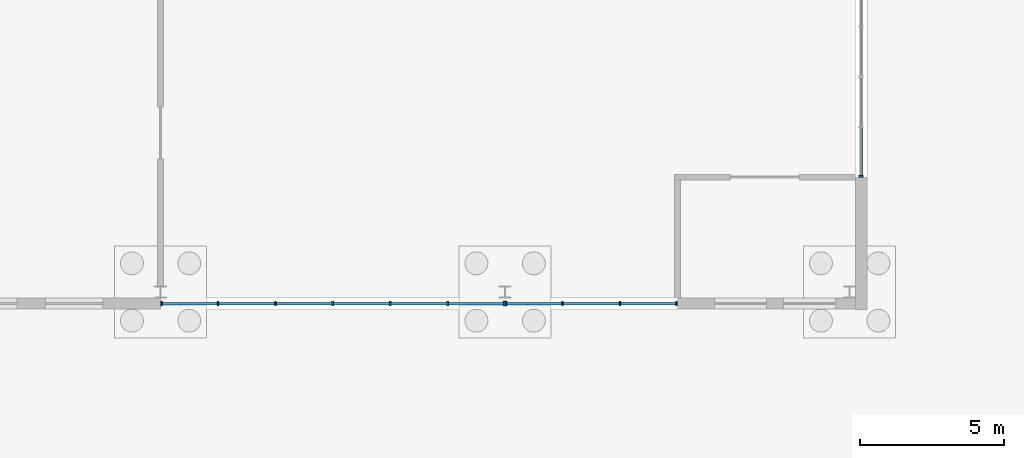
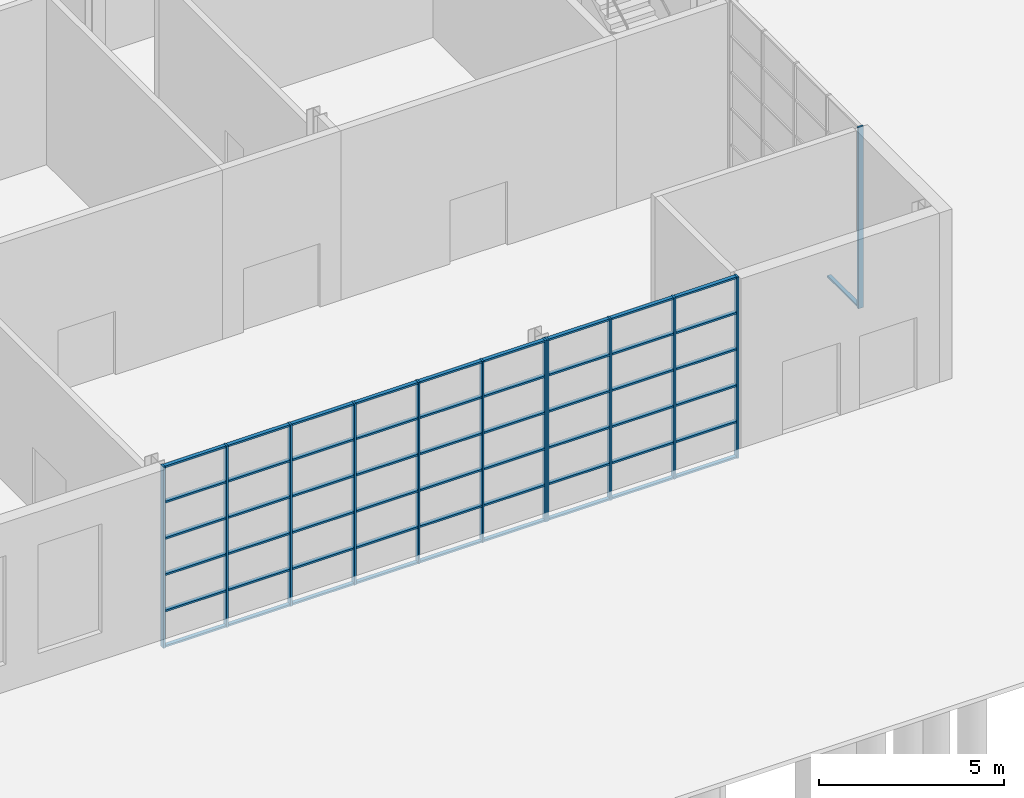
# One storey, part 9 of 29: 67 members, 3 elements without a shape of their own.
"""IFC4 building model written with IfcOpenShell, lengths in metres."""

from ifc_helpers import new_model, si_unit, direction, frame, origin, origin_2d, place, context, subcontext, project, spatial, rectangle, extrude, material, layer, layer_set, material_profile, profile_set, type_object, element, aggregate, save


model = new_model("IFC4")

# Units and contexts
model_context = context("Model", 3, precision=1e-05, world=origin(), true_north=direction((0.0, 1.0)))
body_context = subcontext(model_context, "Body", "Model", "MODEL_VIEW")
ifc_project = project(units=[si_unit("LENGTHUNIT", "METRE"), si_unit("AREAUNIT", "SQUARE_METRE"), si_unit("VOLUMEUNIT", "CUBIC_METRE"), si_unit("PLANEANGLEUNIT", "RADIAN"), si_unit("MASSUNIT", "GRAM", prefix="KILO")], contexts=[model_context])

# Site, building, storey
site_placement = place(None, origin())
site = spatial("IfcSite", under=ifc_project, at=site_placement, CompositionType="ELEMENT")
building_placement = place(site_placement, origin())
building = spatial("IfcBuilding", under=site, at=building_placement, Name="Kitamizu Gate Tower and Museum", CompositionType="ELEMENT")
storey_placement = place(building_placement, origin())
storey = spatial("IfcBuildingStorey", under=building, at=storey_placement, Name="L00", CompositionType="ELEMENT", Elevation=0.0)

# Curtain wall, members
ifc_material_1 = material(Name="Bronze anodised aluminium frame, tinted triple glazing", Category="aluminium")
ifc_layer = layer(ifc_material_1, 0.39990234375)
ifc_layer_set = layer_set([ifc_layer], Name="Bronze anodised aluminium frame, tinted triple glazing")
curtain_wall_type = type_object("IfcCurtainWallType", Name="Museum atrium curtain wall D", PredefinedType="NOTDEFINED", material=ifc_layer_set)
curtain_wall_1_placement = place(storey_placement, origin())
curtain_wall_1 = element("IfcCurtainWall", 1, at=curtain_wall_1_placement, inside=storey, type_object=curtain_wall_type, Name="Atrium curtain wall Sm14mm2", PredefinedType="NOTDEFINED")
ifc_material_2 = material(Name="Bronze anodised aluminium", Category="aluminium")
ifc_material_profile_1 = material_profile(ifc_material_2, rectangle(XDim=0.06005859375, YDim=0.159912109375, at=origin_2d()), Name="60x160")
ifc_profile_set_1 = profile_set([ifc_material_profile_1], Name="Bronze anodised aluminium")
member_type_1 = type_object("IfcMemberType", Name="Museum curtain wall mullion 60x160", PredefinedType="MULLION", material=ifc_profile_set_1)
member_1_placement = place(storey_placement, frame((-13.969970703125, -26.39990234375, -0.39990234375), z_axis=(0.0, 0.0, 1.0), x_axis=(1.0, 0.0, 0.0)))
member_1 = element("IfcMember", 2, at=member_1_placement, type_object=member_type_1, Name="CW-D mullion 1", PredefinedType="MULLION", context=body_context, shape_type="SweptSolid", body=[
    extrude(rectangle(XDim=0.06005859375, YDim=0.159912109375, at=origin_2d()), origin(), (0.0, 0.0, 1.0), 6.0),
])
member_2_placement = place(storey_placement, frame((-12.0, -26.39990234375, -0.39990234375), z_axis=(0.0, 0.0, 1.0), x_axis=(1.0, 0.0, 0.0)))
member_2 = element("IfcMember", 3, at=member_2_placement, type_object=member_type_1, Name="CW-D mullion 2", PredefinedType="MULLION", context=body_context, shape_type="SweptSolid", body=[
    extrude(rectangle(XDim=0.06005859375, YDim=0.159912109375, at=origin_2d()), origin(), (0.0, 0.0, 1.0), 6.0),
])
member_3_placement = place(storey_placement, frame((-10.0, -26.39990234375, -0.39990234375), z_axis=(0.0, 0.0, 1.0), x_axis=(1.0, 0.0, 0.0)))
member_3 = element("IfcMember", 4, at=member_3_placement, type_object=member_type_1, Name="CW-D mullion 3", PredefinedType="MULLION", context=body_context, shape_type="SweptSolid", body=[
    extrude(rectangle(XDim=0.06005859375, YDim=0.159912109375, at=origin_2d()), origin(), (0.0, 0.0, 1.0), 6.0),
])
member_4_placement = place(storey_placement, frame((-8.0, -26.39990234375, -0.39990234375), z_axis=(0.0, 0.0, 1.0), x_axis=(1.0, 0.0, 0.0)))
member_4 = element("IfcMember", 5, at=member_4_placement, type_object=member_type_1, Name="CW-D mullion 4", PredefinedType="MULLION", context=body_context, shape_type="SweptSolid", body=[
    extrude(rectangle(XDim=0.06005859375, YDim=0.159912109375, at=origin_2d()), origin(), (0.0, 0.0, 1.0), 6.0),
])
member_5_placement = place(storey_placement, frame((-6.0, -26.39990234375, -0.39990234375), z_axis=(0.0, 0.0, 1.0), x_axis=(1.0, 0.0, 0.0)))
member_5 = element("IfcMember", 6, at=member_5_placement, type_object=member_type_1, Name="CW-D mullion 5", PredefinedType="MULLION", context=body_context, shape_type="SweptSolid", body=[
    extrude(rectangle(XDim=0.06005859375, YDim=0.159912109375, at=origin_2d()), origin(), (0.0, 0.0, 1.0), 6.0),
])
member_6_placement = place(storey_placement, frame((-4.0, -26.39990234375, -0.39990234375), z_axis=(0.0, 0.0, 1.0), x_axis=(1.0, 0.0, 0.0)))
member_6 = element("IfcMember", 7, at=member_6_placement, type_object=member_type_1, Name="CW-D mullion 6", PredefinedType="MULLION", context=body_context, shape_type="SweptSolid", body=[
    extrude(rectangle(XDim=0.06005859375, YDim=0.159912109375, at=origin_2d()), origin(), (0.0, 0.0, 1.0), 6.0),
])
member_7_placement = place(storey_placement, frame((-2.030029296875, -26.39990234375, -0.39990234375), z_axis=(0.0, 0.0, 1.0), x_axis=(1.0, 0.0, 0.0)))
member_7 = element("IfcMember", 8, at=member_7_placement, type_object=member_type_1, Name="CW-D mullion 7", PredefinedType="MULLION", context=body_context, shape_type="SweptSolid", body=[
    extrude(rectangle(XDim=0.06005859375, YDim=0.159912109375, at=origin_2d()), origin(), (0.0, 0.0, 1.0), 6.0),
])

curtain_wall_2_placement = place(storey_placement, origin())
curtain_wall_2 = element("IfcCurtainWall", 9, at=curtain_wall_2_placement, inside=storey, type_object=curtain_wall_type, Name="Atrium curtain wall Sm2m4", PredefinedType="NOTDEFINED")
member_8_placement = place(storey_placement, frame((-1.969970703125, -26.39990234375, -0.39990234375), z_axis=(0.0, 0.0, 1.0), x_axis=(1.0, 0.0, 0.0)))
member_8 = element("IfcMember", 10, at=member_8_placement, type_object=member_type_1, Name="CW-D mullion 1", PredefinedType="MULLION", context=body_context, shape_type="SweptSolid", body=[
    extrude(rectangle(XDim=0.06005859375, YDim=0.159912109375, at=origin_2d()), origin(), (0.0, 0.0, 1.0), 6.0),
])
member_9_placement = place(storey_placement, frame((0.0, -26.39990234375, -0.39990234375), z_axis=(0.0, 0.0, 1.0), x_axis=(1.0, 0.0, 0.0)))
member_9 = element("IfcMember", 11, at=member_9_placement, type_object=member_type_1, Name="CW-D mullion 2", PredefinedType="MULLION", context=body_context, shape_type="SweptSolid", body=[
    extrude(rectangle(XDim=0.06005859375, YDim=0.159912109375, at=origin_2d()), origin(), (0.0, 0.0, 1.0), 6.0),
])
member_10_placement = place(storey_placement, frame((2.0, -26.39990234375, -0.39990234375), z_axis=(0.0, 0.0, 1.0), x_axis=(1.0, 0.0, 0.0)))
member_10 = element("IfcMember", 12, at=member_10_placement, type_object=member_type_1, Name="CW-D mullion 3", PredefinedType="MULLION", context=body_context, shape_type="SweptSolid", body=[
    extrude(rectangle(XDim=0.06005859375, YDim=0.159912109375, at=origin_2d()), origin(), (0.0, 0.0, 1.0), 6.0),
])
member_11_placement = place(storey_placement, frame((3.969970703125, -26.39990234375, -0.39990234375), z_axis=(0.0, 0.0, 1.0), x_axis=(1.0, 0.0, 0.0)))
member_11 = element("IfcMember", 13, at=member_11_placement, type_object=member_type_1, Name="CW-D mullion 4", PredefinedType="MULLION", context=body_context, shape_type="SweptSolid", body=[
    extrude(rectangle(XDim=0.06005859375, YDim=0.159912109375, at=origin_2d()), origin(), (0.0, 0.0, 1.0), 6.0),
])

# Curtain wall, member
curtain_wall_3_placement = place(storey_placement, origin())
curtain_wall_3 = element("IfcCurtainWall", 14, at=curtain_wall_3_placement, inside=storey, type_object=curtain_wall_type, Name="Atrium curtain wall Em22mm15", PredefinedType="NOTDEFINED")
member_12_placement = place(storey_placement, frame((10.39990234375, -21.969970703125, -0.39990234375), z_axis=(0.0, 0.0, 1.0), x_axis=(0.0, 1.0, 0.0)))
member_12 = element("IfcMember", 15, at=member_12_placement, type_object=member_type_1, Name="CW-D mullion 1", PredefinedType="MULLION", context=body_context, shape_type="SweptSolid", body=[
    extrude(rectangle(XDim=0.06005859375, YDim=0.159912109375, at=origin_2d()), origin(), (0.0, 0.0, 1.0), 6.0),
])

# Member
ifc_material_3 = material(Name="Bronze anodised aluminium", Category="aluminium")
ifc_material_profile_2 = material_profile(ifc_material_3, rectangle(XDim=0.1201171875, YDim=0.06005859375, at=origin_2d()), Name="120x60")
ifc_profile_set_2 = profile_set([ifc_material_profile_2], Name="Bronze anodised aluminium")
member_type_2 = type_object("IfcMemberType", Name="Museum curtain wall transom 60x120", PredefinedType="USERDEFINED", material=ifc_profile_set_2)
member_13_placement = place(storey_placement, frame((-13.93994140625, -26.39990234375, -0.3701171875), z_axis=(1.0, 0.0, 0.0), x_axis=(0.0, 1.0, 0.0)))
member_13 = element("IfcMember", 16, at=member_13_placement, type_object=member_type_2, Name="CW-D transom 1.1", ObjectType="TRANSOM", PredefinedType="USERDEFINED", context=body_context, shape_type="SweptSolid", body=[
    extrude(rectangle(XDim=0.1201171875, YDim=0.06005859375, at=origin_2d()), origin(), (0.0, 0.0, 1.0), 1.909912109375),
])

member_14_placement = place(storey_placement, frame((-13.93994140625, -26.39990234375, 0.800048828125), z_axis=(1.0, 0.0, 0.0), x_axis=(0.0, 1.0, 0.0)))
member_14 = element("IfcMember", 17, at=member_14_placement, type_object=member_type_2, Name="CW-D transom 1.2", ObjectType="TRANSOM", PredefinedType="USERDEFINED", context=body_context, shape_type="SweptSolid", body=[
    extrude(rectangle(XDim=0.1201171875, YDim=0.06005859375, at=origin_2d()), origin(), (0.0, 0.0, 1.0), 1.909912109375),
])

member_15_placement = place(storey_placement, frame((-13.93994140625, -26.39990234375, 2.0), z_axis=(1.0, 0.0, 0.0), x_axis=(0.0, 1.0, 0.0)))
member_15 = element("IfcMember", 18, at=member_15_placement, type_object=member_type_2, Name="CW-D transom 1.3", ObjectType="TRANSOM", PredefinedType="USERDEFINED", context=body_context, shape_type="SweptSolid", body=[
    extrude(rectangle(XDim=0.1201171875, YDim=0.06005859375, at=origin_2d()), origin(), (0.0, 0.0, 1.0), 1.909912109375),
])

member_16_placement = place(storey_placement, frame((-13.93994140625, -26.39990234375, 3.199951171875), z_axis=(1.0, 0.0, 0.0), x_axis=(0.0, 1.0, 0.0)))
member_16 = element("IfcMember", 19, at=member_16_placement, type_object=member_type_2, Name="CW-D transom 1.4", ObjectType="TRANSOM", PredefinedType="USERDEFINED", context=body_context, shape_type="SweptSolid", body=[
    extrude(rectangle(XDim=0.1201171875, YDim=0.06005859375, at=origin_2d()), origin(), (0.0, 0.0, 1.0), 1.909912109375),
])

member_17_placement = place(storey_placement, frame((-13.93994140625, -26.39990234375, 4.39990234375), z_axis=(1.0, 0.0, 0.0), x_axis=(0.0, 1.0, 0.0)))
member_17 = element("IfcMember", 20, at=member_17_placement, type_object=member_type_2, Name="CW-D transom 1.5", ObjectType="TRANSOM", PredefinedType="USERDEFINED", context=body_context, shape_type="SweptSolid", body=[
    extrude(rectangle(XDim=0.1201171875, YDim=0.06005859375, at=origin_2d()), origin(), (0.0, 0.0, 1.0), 1.909912109375),
])

member_18_placement = place(storey_placement, frame((-13.93994140625, -26.39990234375, 5.570068359375), z_axis=(1.0, 0.0, 0.0), x_axis=(0.0, 1.0, 0.0)))
member_18 = element("IfcMember", 21, at=member_18_placement, type_object=member_type_2, Name="CW-D transom 1.6", ObjectType="TRANSOM", PredefinedType="USERDEFINED", context=body_context, shape_type="SweptSolid", body=[
    extrude(rectangle(XDim=0.1201171875, YDim=0.06005859375, at=origin_2d()), origin(), (0.0, 0.0, 1.0), 1.909912109375),
])

member_19_placement = place(storey_placement, frame((-11.969970703125, -26.39990234375, -0.3701171875), z_axis=(1.0, 0.0, 0.0), x_axis=(0.0, 1.0, 0.0)))
member_19 = element("IfcMember", 22, at=member_19_placement, type_object=member_type_2, Name="CW-D transom 2.1", ObjectType="TRANSOM", PredefinedType="USERDEFINED", context=body_context, shape_type="SweptSolid", body=[
    extrude(rectangle(XDim=0.1201171875, YDim=0.06005859375, at=origin_2d()), origin(), (0.0, 0.0, 1.0), 1.93994140625),
])

member_20_placement = place(storey_placement, frame((-11.969970703125, -26.39990234375, 0.800048828125), z_axis=(1.0, 0.0, 0.0), x_axis=(0.0, 1.0, 0.0)))
member_20 = element("IfcMember", 23, at=member_20_placement, type_object=member_type_2, Name="CW-D transom 2.2", ObjectType="TRANSOM", PredefinedType="USERDEFINED", context=body_context, shape_type="SweptSolid", body=[
    extrude(rectangle(XDim=0.1201171875, YDim=0.06005859375, at=origin_2d()), origin(), (0.0, 0.0, 1.0), 1.93994140625),
])

member_21_placement = place(storey_placement, frame((-11.969970703125, -26.39990234375, 2.0), z_axis=(1.0, 0.0, 0.0), x_axis=(0.0, 1.0, 0.0)))
member_21 = element("IfcMember", 24, at=member_21_placement, type_object=member_type_2, Name="CW-D transom 2.3", ObjectType="TRANSOM", PredefinedType="USERDEFINED", context=body_context, shape_type="SweptSolid", body=[
    extrude(rectangle(XDim=0.1201171875, YDim=0.06005859375, at=origin_2d()), origin(), (0.0, 0.0, 1.0), 1.93994140625),
])

member_22_placement = place(storey_placement, frame((-11.969970703125, -26.39990234375, 3.199951171875), z_axis=(1.0, 0.0, 0.0), x_axis=(0.0, 1.0, 0.0)))
member_22 = element("IfcMember", 25, at=member_22_placement, type_object=member_type_2, Name="CW-D transom 2.4", ObjectType="TRANSOM", PredefinedType="USERDEFINED", context=body_context, shape_type="SweptSolid", body=[
    extrude(rectangle(XDim=0.1201171875, YDim=0.06005859375, at=origin_2d()), origin(), (0.0, 0.0, 1.0), 1.93994140625),
])

member_23_placement = place(storey_placement, frame((-11.969970703125, -26.39990234375, 4.39990234375), z_axis=(1.0, 0.0, 0.0), x_axis=(0.0, 1.0, 0.0)))
member_23 = element("IfcMember", 26, at=member_23_placement, type_object=member_type_2, Name="CW-D transom 2.5", ObjectType="TRANSOM", PredefinedType="USERDEFINED", context=body_context, shape_type="SweptSolid", body=[
    extrude(rectangle(XDim=0.1201171875, YDim=0.06005859375, at=origin_2d()), origin(), (0.0, 0.0, 1.0), 1.93994140625),
])

member_24_placement = place(storey_placement, frame((-11.969970703125, -26.39990234375, 5.570068359375), z_axis=(1.0, 0.0, 0.0), x_axis=(0.0, 1.0, 0.0)))
member_24 = element("IfcMember", 27, at=member_24_placement, type_object=member_type_2, Name="CW-D transom 2.6", ObjectType="TRANSOM", PredefinedType="USERDEFINED", context=body_context, shape_type="SweptSolid", body=[
    extrude(rectangle(XDim=0.1201171875, YDim=0.06005859375, at=origin_2d()), origin(), (0.0, 0.0, 1.0), 1.93994140625),
])

member_25_placement = place(storey_placement, frame((-9.969970703125, -26.39990234375, -0.3701171875), z_axis=(1.0, 0.0, 0.0), x_axis=(0.0, 1.0, 0.0)))
member_25 = element("IfcMember", 28, at=member_25_placement, type_object=member_type_2, Name="CW-D transom 3.1", ObjectType="TRANSOM", PredefinedType="USERDEFINED", context=body_context, shape_type="SweptSolid", body=[
    extrude(rectangle(XDim=0.1201171875, YDim=0.06005859375, at=origin_2d()), origin(), (0.0, 0.0, 1.0), 1.93994140625),
])

member_26_placement = place(storey_placement, frame((-9.969970703125, -26.39990234375, 0.800048828125), z_axis=(1.0, 0.0, 0.0), x_axis=(0.0, 1.0, 0.0)))
member_26 = element("IfcMember", 29, at=member_26_placement, type_object=member_type_2, Name="CW-D transom 3.2", ObjectType="TRANSOM", PredefinedType="USERDEFINED", context=body_context, shape_type="SweptSolid", body=[
    extrude(rectangle(XDim=0.1201171875, YDim=0.06005859375, at=origin_2d()), origin(), (0.0, 0.0, 1.0), 1.93994140625),
])

member_27_placement = place(storey_placement, frame((-9.969970703125, -26.39990234375, 2.0), z_axis=(1.0, 0.0, 0.0), x_axis=(0.0, 1.0, 0.0)))
member_27 = element("IfcMember", 30, at=member_27_placement, type_object=member_type_2, Name="CW-D transom 3.3", ObjectType="TRANSOM", PredefinedType="USERDEFINED", context=body_context, shape_type="SweptSolid", body=[
    extrude(rectangle(XDim=0.1201171875, YDim=0.06005859375, at=origin_2d()), origin(), (0.0, 0.0, 1.0), 1.93994140625),
])

member_28_placement = place(storey_placement, frame((-9.969970703125, -26.39990234375, 3.199951171875), z_axis=(1.0, 0.0, 0.0), x_axis=(0.0, 1.0, 0.0)))
member_28 = element("IfcMember", 31, at=member_28_placement, type_object=member_type_2, Name="CW-D transom 3.4", ObjectType="TRANSOM", PredefinedType="USERDEFINED", context=body_context, shape_type="SweptSolid", body=[
    extrude(rectangle(XDim=0.1201171875, YDim=0.06005859375, at=origin_2d()), origin(), (0.0, 0.0, 1.0), 1.93994140625),
])

member_29_placement = place(storey_placement, frame((-9.969970703125, -26.39990234375, 4.39990234375), z_axis=(1.0, 0.0, 0.0), x_axis=(0.0, 1.0, 0.0)))
member_29 = element("IfcMember", 32, at=member_29_placement, type_object=member_type_2, Name="CW-D transom 3.5", ObjectType="TRANSOM", PredefinedType="USERDEFINED", context=body_context, shape_type="SweptSolid", body=[
    extrude(rectangle(XDim=0.1201171875, YDim=0.06005859375, at=origin_2d()), origin(), (0.0, 0.0, 1.0), 1.93994140625),
])

member_30_placement = place(storey_placement, frame((-9.969970703125, -26.39990234375, 5.570068359375), z_axis=(1.0, 0.0, 0.0), x_axis=(0.0, 1.0, 0.0)))
member_30 = element("IfcMember", 33, at=member_30_placement, type_object=member_type_2, Name="CW-D transom 3.6", ObjectType="TRANSOM", PredefinedType="USERDEFINED", context=body_context, shape_type="SweptSolid", body=[
    extrude(rectangle(XDim=0.1201171875, YDim=0.06005859375, at=origin_2d()), origin(), (0.0, 0.0, 1.0), 1.93994140625),
])

member_31_placement = place(storey_placement, frame((-7.969970703125, -26.39990234375, -0.3701171875), z_axis=(1.0, 0.0, 0.0), x_axis=(0.0, 1.0, 0.0)))
member_31 = element("IfcMember", 34, at=member_31_placement, type_object=member_type_2, Name="CW-D transom 4.1", ObjectType="TRANSOM", PredefinedType="USERDEFINED", context=body_context, shape_type="SweptSolid", body=[
    extrude(rectangle(XDim=0.1201171875, YDim=0.06005859375, at=origin_2d()), origin(), (0.0, 0.0, 1.0), 1.93994140625),
])

member_32_placement = place(storey_placement, frame((-7.969970703125, -26.39990234375, 0.800048828125), z_axis=(1.0, 0.0, 0.0), x_axis=(0.0, 1.0, 0.0)))
member_32 = element("IfcMember", 35, at=member_32_placement, type_object=member_type_2, Name="CW-D transom 4.2", ObjectType="TRANSOM", PredefinedType="USERDEFINED", context=body_context, shape_type="SweptSolid", body=[
    extrude(rectangle(XDim=0.1201171875, YDim=0.06005859375, at=origin_2d()), origin(), (0.0, 0.0, 1.0), 1.93994140625),
])

member_33_placement = place(storey_placement, frame((-7.969970703125, -26.39990234375, 2.0), z_axis=(1.0, 0.0, 0.0), x_axis=(0.0, 1.0, 0.0)))
member_33 = element("IfcMember", 36, at=member_33_placement, type_object=member_type_2, Name="CW-D transom 4.3", ObjectType="TRANSOM", PredefinedType="USERDEFINED", context=body_context, shape_type="SweptSolid", body=[
    extrude(rectangle(XDim=0.1201171875, YDim=0.06005859375, at=origin_2d()), origin(), (0.0, 0.0, 1.0), 1.93994140625),
])

member_34_placement = place(storey_placement, frame((-7.969970703125, -26.39990234375, 3.199951171875), z_axis=(1.0, 0.0, 0.0), x_axis=(0.0, 1.0, 0.0)))
member_34 = element("IfcMember", 37, at=member_34_placement, type_object=member_type_2, Name="CW-D transom 4.4", ObjectType="TRANSOM", PredefinedType="USERDEFINED", context=body_context, shape_type="SweptSolid", body=[
    extrude(rectangle(XDim=0.1201171875, YDim=0.06005859375, at=origin_2d()), origin(), (0.0, 0.0, 1.0), 1.93994140625),
])

member_35_placement = place(storey_placement, frame((-7.969970703125, -26.39990234375, 4.39990234375), z_axis=(1.0, 0.0, 0.0), x_axis=(0.0, 1.0, 0.0)))
member_35 = element("IfcMember", 38, at=member_35_placement, type_object=member_type_2, Name="CW-D transom 4.5", ObjectType="TRANSOM", PredefinedType="USERDEFINED", context=body_context, shape_type="SweptSolid", body=[
    extrude(rectangle(XDim=0.1201171875, YDim=0.06005859375, at=origin_2d()), origin(), (0.0, 0.0, 1.0), 1.93994140625),
])

member_36_placement = place(storey_placement, frame((-7.969970703125, -26.39990234375, 5.570068359375), z_axis=(1.0, 0.0, 0.0), x_axis=(0.0, 1.0, 0.0)))
member_36 = element("IfcMember", 39, at=member_36_placement, type_object=member_type_2, Name="CW-D transom 4.6", ObjectType="TRANSOM", PredefinedType="USERDEFINED", context=body_context, shape_type="SweptSolid", body=[
    extrude(rectangle(XDim=0.1201171875, YDim=0.06005859375, at=origin_2d()), origin(), (0.0, 0.0, 1.0), 1.93994140625),
])

member_37_placement = place(storey_placement, frame((-5.969970703125, -26.39990234375, -0.3701171875), z_axis=(1.0, 0.0, 0.0), x_axis=(0.0, 1.0, 0.0)))
member_37 = element("IfcMember", 40, at=member_37_placement, type_object=member_type_2, Name="CW-D transom 5.1", ObjectType="TRANSOM", PredefinedType="USERDEFINED", context=body_context, shape_type="SweptSolid", body=[
    extrude(rectangle(XDim=0.1201171875, YDim=0.06005859375, at=origin_2d()), origin(), (0.0, 0.0, 1.0), 1.93994140625),
])

member_38_placement = place(storey_placement, frame((-5.969970703125, -26.39990234375, 0.800048828125), z_axis=(1.0, 0.0, 0.0), x_axis=(0.0, 1.0, 0.0)))
member_38 = element("IfcMember", 41, at=member_38_placement, type_object=member_type_2, Name="CW-D transom 5.2", ObjectType="TRANSOM", PredefinedType="USERDEFINED", context=body_context, shape_type="SweptSolid", body=[
    extrude(rectangle(XDim=0.1201171875, YDim=0.06005859375, at=origin_2d()), origin(), (0.0, 0.0, 1.0), 1.93994140625),
])

member_39_placement = place(storey_placement, frame((-5.969970703125, -26.39990234375, 2.0), z_axis=(1.0, 0.0, 0.0), x_axis=(0.0, 1.0, 0.0)))
member_39 = element("IfcMember", 42, at=member_39_placement, type_object=member_type_2, Name="CW-D transom 5.3", ObjectType="TRANSOM", PredefinedType="USERDEFINED", context=body_context, shape_type="SweptSolid", body=[
    extrude(rectangle(XDim=0.1201171875, YDim=0.06005859375, at=origin_2d()), origin(), (0.0, 0.0, 1.0), 1.93994140625),
])

member_40_placement = place(storey_placement, frame((-5.969970703125, -26.39990234375, 3.199951171875), z_axis=(1.0, 0.0, 0.0), x_axis=(0.0, 1.0, 0.0)))
member_40 = element("IfcMember", 43, at=member_40_placement, type_object=member_type_2, Name="CW-D transom 5.4", ObjectType="TRANSOM", PredefinedType="USERDEFINED", context=body_context, shape_type="SweptSolid", body=[
    extrude(rectangle(XDim=0.1201171875, YDim=0.06005859375, at=origin_2d()), origin(), (0.0, 0.0, 1.0), 1.93994140625),
])

member_41_placement = place(storey_placement, frame((-5.969970703125, -26.39990234375, 4.39990234375), z_axis=(1.0, 0.0, 0.0), x_axis=(0.0, 1.0, 0.0)))
member_41 = element("IfcMember", 44, at=member_41_placement, type_object=member_type_2, Name="CW-D transom 5.5", ObjectType="TRANSOM", PredefinedType="USERDEFINED", context=body_context, shape_type="SweptSolid", body=[
    extrude(rectangle(XDim=0.1201171875, YDim=0.06005859375, at=origin_2d()), origin(), (0.0, 0.0, 1.0), 1.93994140625),
])

member_42_placement = place(storey_placement, frame((-5.969970703125, -26.39990234375, 5.570068359375), z_axis=(1.0, 0.0, 0.0), x_axis=(0.0, 1.0, 0.0)))
member_42 = element("IfcMember", 45, at=member_42_placement, type_object=member_type_2, Name="CW-D transom 5.6", ObjectType="TRANSOM", PredefinedType="USERDEFINED", context=body_context, shape_type="SweptSolid", body=[
    extrude(rectangle(XDim=0.1201171875, YDim=0.06005859375, at=origin_2d()), origin(), (0.0, 0.0, 1.0), 1.93994140625),
])

member_43_placement = place(storey_placement, frame((-3.969970703125, -26.39990234375, -0.3701171875), z_axis=(1.0, 0.0, 0.0), x_axis=(0.0, 1.0, 0.0)))
member_43 = element("IfcMember", 46, at=member_43_placement, type_object=member_type_2, Name="CW-D transom 6.1", ObjectType="TRANSOM", PredefinedType="USERDEFINED", context=body_context, shape_type="SweptSolid", body=[
    extrude(rectangle(XDim=0.1201171875, YDim=0.06005859375, at=origin_2d()), origin(), (0.0, 0.0, 1.0), 1.909912109375),
])

member_44_placement = place(storey_placement, frame((-3.969970703125, -26.39990234375, 0.800048828125), z_axis=(1.0, 0.0, 0.0), x_axis=(0.0, 1.0, 0.0)))
member_44 = element("IfcMember", 47, at=member_44_placement, type_object=member_type_2, Name="CW-D transom 6.2", ObjectType="TRANSOM", PredefinedType="USERDEFINED", context=body_context, shape_type="SweptSolid", body=[
    extrude(rectangle(XDim=0.1201171875, YDim=0.06005859375, at=origin_2d()), origin(), (0.0, 0.0, 1.0), 1.909912109375),
])

member_45_placement = place(storey_placement, frame((-3.969970703125, -26.39990234375, 2.0), z_axis=(1.0, 0.0, 0.0), x_axis=(0.0, 1.0, 0.0)))
member_45 = element("IfcMember", 48, at=member_45_placement, type_object=member_type_2, Name="CW-D transom 6.3", ObjectType="TRANSOM", PredefinedType="USERDEFINED", context=body_context, shape_type="SweptSolid", body=[
    extrude(rectangle(XDim=0.1201171875, YDim=0.06005859375, at=origin_2d()), origin(), (0.0, 0.0, 1.0), 1.909912109375),
])

member_46_placement = place(storey_placement, frame((-3.969970703125, -26.39990234375, 3.199951171875), z_axis=(1.0, 0.0, 0.0), x_axis=(0.0, 1.0, 0.0)))
member_46 = element("IfcMember", 49, at=member_46_placement, type_object=member_type_2, Name="CW-D transom 6.4", ObjectType="TRANSOM", PredefinedType="USERDEFINED", context=body_context, shape_type="SweptSolid", body=[
    extrude(rectangle(XDim=0.1201171875, YDim=0.06005859375, at=origin_2d()), origin(), (0.0, 0.0, 1.0), 1.909912109375),
])

member_47_placement = place(storey_placement, frame((-3.969970703125, -26.39990234375, 4.39990234375), z_axis=(1.0, 0.0, 0.0), x_axis=(0.0, 1.0, 0.0)))
member_47 = element("IfcMember", 50, at=member_47_placement, type_object=member_type_2, Name="CW-D transom 6.5", ObjectType="TRANSOM", PredefinedType="USERDEFINED", context=body_context, shape_type="SweptSolid", body=[
    extrude(rectangle(XDim=0.1201171875, YDim=0.06005859375, at=origin_2d()), origin(), (0.0, 0.0, 1.0), 1.909912109375),
])

member_48_placement = place(storey_placement, frame((-3.969970703125, -26.39990234375, 5.570068359375), z_axis=(1.0, 0.0, 0.0), x_axis=(0.0, 1.0, 0.0)))
member_48 = element("IfcMember", 51, at=member_48_placement, type_object=member_type_2, Name="CW-D transom 6.6", ObjectType="TRANSOM", PredefinedType="USERDEFINED", context=body_context, shape_type="SweptSolid", body=[
    extrude(rectangle(XDim=0.1201171875, YDim=0.06005859375, at=origin_2d()), origin(), (0.0, 0.0, 1.0), 1.909912109375),
])

aggregate(curtain_wall_1, [member_1, member_2, member_3, member_4, member_5, member_6, member_7, member_13, member_14, member_15, member_16, member_17, member_18, member_19, member_20, member_21, member_22, member_23, member_24, member_25, member_26, member_27, member_28, member_29, member_30, member_31, member_32, member_33, member_34, member_35, member_36, member_37, member_38, member_39, member_40, member_41, member_42, member_43, member_44, member_45, member_46, member_47, member_48])

member_49_placement = place(storey_placement, frame((-1.93994140625, -26.39990234375, -0.3701171875), z_axis=(1.0, 0.0, 0.0), x_axis=(0.0, 1.0, 0.0)))
member_49 = element("IfcMember", 52, at=member_49_placement, type_object=member_type_2, Name="CW-D transom 1.1", ObjectType="TRANSOM", PredefinedType="USERDEFINED", context=body_context, shape_type="SweptSolid", body=[
    extrude(rectangle(XDim=0.1201171875, YDim=0.06005859375, at=origin_2d()), origin(), (0.0, 0.0, 1.0), 1.909912109375),
])

member_50_placement = place(storey_placement, frame((-1.93994140625, -26.39990234375, 0.800048828125), z_axis=(1.0, 0.0, 0.0), x_axis=(0.0, 1.0, 0.0)))
member_50 = element("IfcMember", 53, at=member_50_placement, type_object=member_type_2, Name="CW-D transom 1.2", ObjectType="TRANSOM", PredefinedType="USERDEFINED", context=body_context, shape_type="SweptSolid", body=[
    extrude(rectangle(XDim=0.1201171875, YDim=0.06005859375, at=origin_2d()), origin(), (0.0, 0.0, 1.0), 1.909912109375),
])

member_51_placement = place(storey_placement, frame((-1.93994140625, -26.39990234375, 2.0), z_axis=(1.0, 0.0, 0.0), x_axis=(0.0, 1.0, 0.0)))
member_51 = element("IfcMember", 54, at=member_51_placement, type_object=member_type_2, Name="CW-D transom 1.3", ObjectType="TRANSOM", PredefinedType="USERDEFINED", context=body_context, shape_type="SweptSolid", body=[
    extrude(rectangle(XDim=0.1201171875, YDim=0.06005859375, at=origin_2d()), origin(), (0.0, 0.0, 1.0), 1.909912109375),
])

member_52_placement = place(storey_placement, frame((-1.93994140625, -26.39990234375, 3.199951171875), z_axis=(1.0, 0.0, 0.0), x_axis=(0.0, 1.0, 0.0)))
member_52 = element("IfcMember", 55, at=member_52_placement, type_object=member_type_2, Name="CW-D transom 1.4", ObjectType="TRANSOM", PredefinedType="USERDEFINED", context=body_context, shape_type="SweptSolid", body=[
    extrude(rectangle(XDim=0.1201171875, YDim=0.06005859375, at=origin_2d()), origin(), (0.0, 0.0, 1.0), 1.909912109375),
])

member_53_placement = place(storey_placement, frame((-1.93994140625, -26.39990234375, 4.39990234375), z_axis=(1.0, 0.0, 0.0), x_axis=(0.0, 1.0, 0.0)))
member_53 = element("IfcMember", 56, at=member_53_placement, type_object=member_type_2, Name="CW-D transom 1.5", ObjectType="TRANSOM", PredefinedType="USERDEFINED", context=body_context, shape_type="SweptSolid", body=[
    extrude(rectangle(XDim=0.1201171875, YDim=0.06005859375, at=origin_2d()), origin(), (0.0, 0.0, 1.0), 1.909912109375),
])

member_54_placement = place(storey_placement, frame((-1.93994140625, -26.39990234375, 5.570068359375), z_axis=(1.0, 0.0, 0.0), x_axis=(0.0, 1.0, 0.0)))
member_54 = element("IfcMember", 57, at=member_54_placement, type_object=member_type_2, Name="CW-D transom 1.6", ObjectType="TRANSOM", PredefinedType="USERDEFINED", context=body_context, shape_type="SweptSolid", body=[
    extrude(rectangle(XDim=0.1201171875, YDim=0.06005859375, at=origin_2d()), origin(), (0.0, 0.0, 1.0), 1.909912109375),
])

member_55_placement = place(storey_placement, frame((0.030029296875, -26.39990234375, -0.3701171875), z_axis=(1.0, 0.0, 0.0), x_axis=(0.0, 1.0, 0.0)))
member_55 = element("IfcMember", 58, at=member_55_placement, type_object=member_type_2, Name="CW-D transom 2.1", ObjectType="TRANSOM", PredefinedType="USERDEFINED", context=body_context, shape_type="SweptSolid", body=[
    extrude(rectangle(XDim=0.1201171875, YDim=0.06005859375, at=origin_2d()), origin(), (0.0, 0.0, 1.0), 1.93994140625),
])

member_56_placement = place(storey_placement, frame((0.030029296875, -26.39990234375, 0.800048828125), z_axis=(1.0, 0.0, 0.0), x_axis=(0.0, 1.0, 0.0)))
member_56 = element("IfcMember", 59, at=member_56_placement, type_object=member_type_2, Name="CW-D transom 2.2", ObjectType="TRANSOM", PredefinedType="USERDEFINED", context=body_context, shape_type="SweptSolid", body=[
    extrude(rectangle(XDim=0.1201171875, YDim=0.06005859375, at=origin_2d()), origin(), (0.0, 0.0, 1.0), 1.93994140625),
])

member_57_placement = place(storey_placement, frame((0.030029296875, -26.39990234375, 2.0), z_axis=(1.0, 0.0, 0.0), x_axis=(0.0, 1.0, 0.0)))
member_57 = element("IfcMember", 60, at=member_57_placement, type_object=member_type_2, Name="CW-D transom 2.3", ObjectType="TRANSOM", PredefinedType="USERDEFINED", context=body_context, shape_type="SweptSolid", body=[
    extrude(rectangle(XDim=0.1201171875, YDim=0.06005859375, at=origin_2d()), origin(), (0.0, 0.0, 1.0), 1.93994140625),
])

member_58_placement = place(storey_placement, frame((0.030029296875, -26.39990234375, 3.199951171875), z_axis=(1.0, 0.0, 0.0), x_axis=(0.0, 1.0, 0.0)))
member_58 = element("IfcMember", 61, at=member_58_placement, type_object=member_type_2, Name="CW-D transom 2.4", ObjectType="TRANSOM", PredefinedType="USERDEFINED", context=body_context, shape_type="SweptSolid", body=[
    extrude(rectangle(XDim=0.1201171875, YDim=0.06005859375, at=origin_2d()), origin(), (0.0, 0.0, 1.0), 1.93994140625),
])

member_59_placement = place(storey_placement, frame((0.030029296875, -26.39990234375, 4.39990234375), z_axis=(1.0, 0.0, 0.0), x_axis=(0.0, 1.0, 0.0)))
member_59 = element("IfcMember", 62, at=member_59_placement, type_object=member_type_2, Name="CW-D transom 2.5", ObjectType="TRANSOM", PredefinedType="USERDEFINED", context=body_context, shape_type="SweptSolid", body=[
    extrude(rectangle(XDim=0.1201171875, YDim=0.06005859375, at=origin_2d()), origin(), (0.0, 0.0, 1.0), 1.93994140625),
])

member_60_placement = place(storey_placement, frame((0.030029296875, -26.39990234375, 5.570068359375), z_axis=(1.0, 0.0, 0.0), x_axis=(0.0, 1.0, 0.0)))
member_60 = element("IfcMember", 63, at=member_60_placement, type_object=member_type_2, Name="CW-D transom 2.6", ObjectType="TRANSOM", PredefinedType="USERDEFINED", context=body_context, shape_type="SweptSolid", body=[
    extrude(rectangle(XDim=0.1201171875, YDim=0.06005859375, at=origin_2d()), origin(), (0.0, 0.0, 1.0), 1.93994140625),
])

member_61_placement = place(storey_placement, frame((2.030029296875, -26.39990234375, -0.3701171875), z_axis=(1.0, 0.0, 0.0), x_axis=(0.0, 1.0, 0.0)))
member_61 = element("IfcMember", 64, at=member_61_placement, type_object=member_type_2, Name="CW-D transom 3.1", ObjectType="TRANSOM", PredefinedType="USERDEFINED", context=body_context, shape_type="SweptSolid", body=[
    extrude(rectangle(XDim=0.1201171875, YDim=0.06005859375, at=origin_2d()), origin(), (0.0, 0.0, 1.0), 1.909912109375),
])

member_62_placement = place(storey_placement, frame((2.030029296875, -26.39990234375, 0.800048828125), z_axis=(1.0, 0.0, 0.0), x_axis=(0.0, 1.0, 0.0)))
member_62 = element("IfcMember", 65, at=member_62_placement, type_object=member_type_2, Name="CW-D transom 3.2", ObjectType="TRANSOM", PredefinedType="USERDEFINED", context=body_context, shape_type="SweptSolid", body=[
    extrude(rectangle(XDim=0.1201171875, YDim=0.06005859375, at=origin_2d()), origin(), (0.0, 0.0, 1.0), 1.909912109375),
])

member_63_placement = place(storey_placement, frame((2.030029296875, -26.39990234375, 2.0), z_axis=(1.0, 0.0, 0.0), x_axis=(0.0, 1.0, 0.0)))
member_63 = element("IfcMember", 66, at=member_63_placement, type_object=member_type_2, Name="CW-D transom 3.3", ObjectType="TRANSOM", PredefinedType="USERDEFINED", context=body_context, shape_type="SweptSolid", body=[
    extrude(rectangle(XDim=0.1201171875, YDim=0.06005859375, at=origin_2d()), origin(), (0.0, 0.0, 1.0), 1.909912109375),
])

member_64_placement = place(storey_placement, frame((2.030029296875, -26.39990234375, 3.199951171875), z_axis=(1.0, 0.0, 0.0), x_axis=(0.0, 1.0, 0.0)))
member_64 = element("IfcMember", 67, at=member_64_placement, type_object=member_type_2, Name="CW-D transom 3.4", ObjectType="TRANSOM", PredefinedType="USERDEFINED", context=body_context, shape_type="SweptSolid", body=[
    extrude(rectangle(XDim=0.1201171875, YDim=0.06005859375, at=origin_2d()), origin(), (0.0, 0.0, 1.0), 1.909912109375),
])

member_65_placement = place(storey_placement, frame((2.030029296875, -26.39990234375, 4.39990234375), z_axis=(1.0, 0.0, 0.0), x_axis=(0.0, 1.0, 0.0)))
member_65 = element("IfcMember", 68, at=member_65_placement, type_object=member_type_2, Name="CW-D transom 3.5", ObjectType="TRANSOM", PredefinedType="USERDEFINED", context=body_context, shape_type="SweptSolid", body=[
    extrude(rectangle(XDim=0.1201171875, YDim=0.06005859375, at=origin_2d()), origin(), (0.0, 0.0, 1.0), 1.909912109375),
])

member_66_placement = place(storey_placement, frame((2.030029296875, -26.39990234375, 5.570068359375), z_axis=(1.0, 0.0, 0.0), x_axis=(0.0, 1.0, 0.0)))
member_66 = element("IfcMember", 69, at=member_66_placement, type_object=member_type_2, Name="CW-D transom 3.6", ObjectType="TRANSOM", PredefinedType="USERDEFINED", context=body_context, shape_type="SweptSolid", body=[
    extrude(rectangle(XDim=0.1201171875, YDim=0.06005859375, at=origin_2d()), origin(), (0.0, 0.0, 1.0), 1.909912109375),
])

aggregate(curtain_wall_2, [member_8, member_9, member_10, member_11, member_49, member_50, member_51, member_52, member_53, member_54, member_55, member_56, member_57, member_58, member_59, member_60, member_61, member_62, member_63, member_64, member_65, member_66])

member_67_placement = place(storey_placement, frame((10.39990234375, -21.93994140625, -0.3701171875), z_axis=(0.0, 1.0, 0.0), x_axis=(-1.0, 0.0, 0.0)))
member_67 = element("IfcMember", 70, at=member_67_placement, type_object=member_type_2, Name="CW-D transom 1.1", ObjectType="TRANSOM", PredefinedType="USERDEFINED", context=body_context, shape_type="SweptSolid", body=[
    extrude(rectangle(XDim=0.1201171875, YDim=0.06005859375, at=origin_2d()), origin(), (0.0, 0.0, 1.0), 1.659912109375),
])

aggregate(curtain_wall_3, [member_12, member_67])

save(model, "model.ifc")
